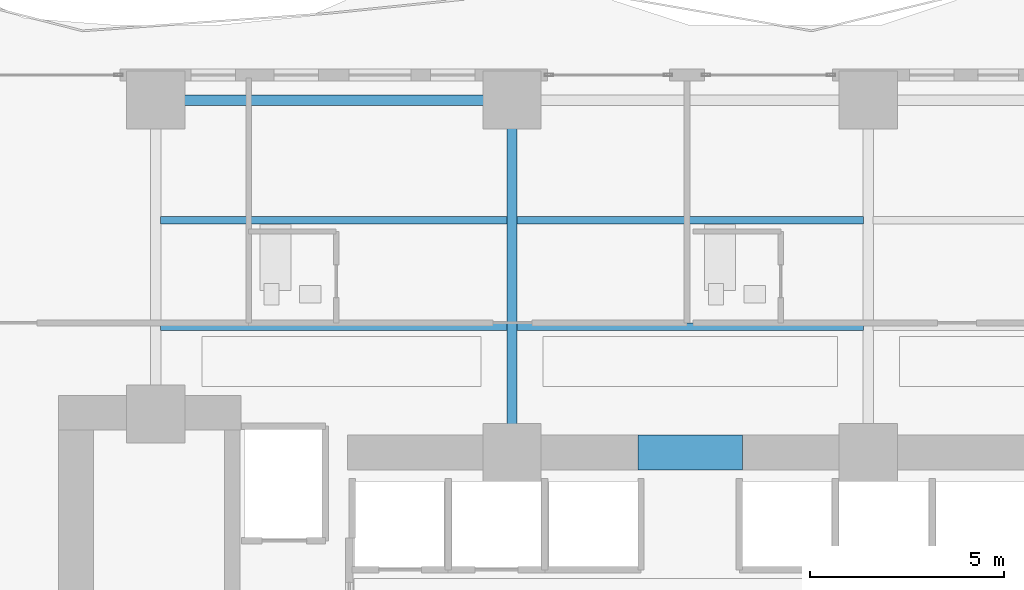
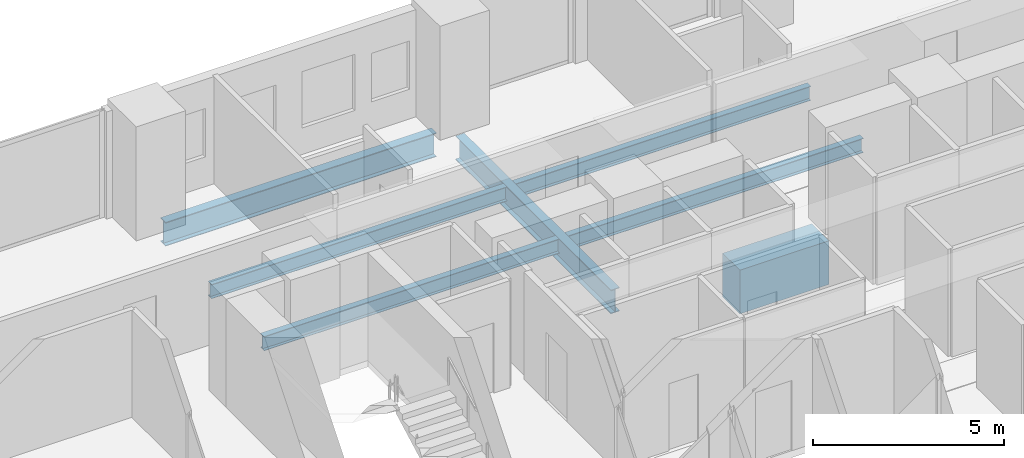
# One storey, part 14 of 28: 7 beams.
"""IFC4 building model written with IfcOpenShell, lengths in metres."""

from ifc_helpers import new_model, si_unit, direction, frame, origin, origin_2d, place, context, subcontext, project, spatial, rectangle, i_section, extrude, material, material_profile, profile_set, type_object, element, save


model = new_model("IFC4")

# Units and contexts
model_context = context("Model", 3, precision=1e-05, world=origin(), true_north=direction((0.0, 1.0)))
body_context = subcontext(model_context, "Body", "Model", "MODEL_VIEW")
ifc_project = project(units=[si_unit("LENGTHUNIT", "METRE"), si_unit("AREAUNIT", "SQUARE_METRE"), si_unit("VOLUMEUNIT", "CUBIC_METRE"), si_unit("PLANEANGLEUNIT", "RADIAN"), si_unit("MASSUNIT", "GRAM", prefix="KILO")], contexts=[model_context])

# Site, building, storey
site_placement = place(None, origin())
site = spatial("IfcSite", under=ifc_project, at=site_placement, CompositionType="ELEMENT")
building_placement = place(site_placement, origin())
building = spatial("IfcBuilding", under=site, at=building_placement, Name="Zuhayl Quay Hotel", CompositionType="ELEMENT")
storey_placement = place(building_placement, frame((0.0, 0.0, 78.699951171875)))
storey = spatial("IfcBuildingStorey", under=building, at=storey_placement, Name="L19", CompositionType="ELEMENT", Elevation=78.699951171875)

# Beams
ifc_material_1 = material(Name="Steel ASTM A992 Grade 50", Category="steel")
ifc_material_profile_1 = material_profile(ifc_material_1, i_section(OverallWidth=0.26708984375, OverallDepth=0.761962890625, WebThickness=0.014404296875, FlangeThickness=0.021484375, at=origin_2d()), Name="W30X116")
ifc_profile_set_1 = profile_set([ifc_material_profile_1], Name="Steel ASTM A992 Grade 50")
beam_type_1 = type_object("IfcBeamType", Name="BM_B1_W30X116", PredefinedType="BEAM", material=ifc_profile_set_1)
beam_1_placement = place(storey_placement, frame((-5.10009765625, 22.449951171875, -0.600830078125), z_axis=(-1.0, 0.0, 0.0), x_axis=(0.0, -1.0, 0.0)))
element("IfcBeam", 1, at=beam_1_placement, inside=storey, type_object=beam_type_1, Name="L19 Floor Beam RG_L19_09", PredefinedType="BEAM", context=body_context, shape_type="SweptSolid", body=[
    extrude(i_section(OverallWidth=0.26708984375, OverallDepth=0.761962890625, WebThickness=0.014404296875, FlangeThickness=0.021484375, at=origin_2d()), origin(), (0.0, 0.0, 1.0), 8.199951171875),
])
beam_2_placement = place(storey_placement, frame((-4.60009765625, 13.800048828125, -0.600830078125), z_axis=(0.0, 1.0, 0.0), x_axis=(-1.0, 0.0, 0.0)))
element("IfcBeam", 2, at=beam_2_placement, inside=storey, type_object=beam_type_1, Name="L19 Floor Beam FG_N_L19_2", PredefinedType="BEAM", context=body_context, shape_type="SweptSolid", body=[
    extrude(i_section(OverallWidth=0.26708984375, OverallDepth=0.761962890625, WebThickness=0.014404296875, FlangeThickness=0.021484375, at=origin_2d()), origin(), (0.0, 0.0, 1.0), 8.14990234375),
])
ifc_material_2 = material(Name="Concrete C60/75", Category="concrete")
ifc_material_profile_2 = material_profile(ifc_material_2, rectangle(XDim=0.89990234375, YDim=1.39990234375, at=origin_2d()), Name="RC900X1400")
ifc_profile_set_2 = profile_set([ifc_material_profile_2], Name="Concrete C60/75")
beam_type_2 = type_object("IfcBeamType", Name="BM_CB1_RC900", PredefinedType="T_BEAM", material=ifc_profile_set_2)
beam_3_placement = place(storey_placement, frame((-1.35009765625, 13.35009765625, -0.919921875), z_axis=(1.0, 0.0, 0.0), x_axis=(0.0, 1.0, 0.0)))
element("IfcBeam", 3, at=beam_3_placement, inside=storey, type_object=beam_type_2, Name="L19 Core Coupling Beam North", PredefinedType="T_BEAM", context=body_context, shape_type="SweptSolid", body=[
    extrude(rectangle(XDim=0.89990234375, YDim=1.39990234375, at=origin_2d()), origin(), (0.0, 0.0, 1.0), 2.7001953125),
])
ifc_material_profile_3 = material_profile(ifc_material_1, i_section(OverallWidth=0.18994140625, OverallDepth=0.45703125, WebThickness=0.009033203125, FlangeThickness=0.014404296875, at=origin_2d()), Name="W18X50")
ifc_profile_set_3 = profile_set([ifc_material_profile_3], Name="Steel ASTM A992 Grade 50")
beam_type_3 = type_object("IfcBeamType", Name="BM_J2_W18X50", PredefinedType="JOIST", material=ifc_profile_set_3)
beam_4_placement = place(storey_placement, frame((-13.674560546875, 16.60009765625, -0.448486328125), z_axis=(1.0, 0.0, 0.0), x_axis=(0.0, 1.0, 0.0)))
element("IfcBeam", 4, at=beam_4_placement, inside=storey, type_object=beam_type_3, Name="L19 Floor Beam FJ_L19_1_1", PredefinedType="JOIST", context=body_context, shape_type="SweptSolid", body=[
    extrude(i_section(OverallWidth=0.18994140625, OverallDepth=0.45703125, WebThickness=0.009033203125, FlangeThickness=0.014404296875, at=origin_2d()), origin(), (0.0, 0.0, 1.0), 8.948974609375),
])
beam_5_placement = place(storey_placement, frame((-4.474609375, 16.60009765625, -0.448486328125), z_axis=(1.0, 0.0, 0.0), x_axis=(0.0, 1.0, 0.0)))
element("IfcBeam", 5, at=beam_5_placement, inside=storey, type_object=beam_type_3, Name="L19 Floor Beam FJ_L19_1_2", PredefinedType="JOIST", context=body_context, shape_type="SweptSolid", body=[
    extrude(i_section(OverallWidth=0.18994140625, OverallDepth=0.45703125, WebThickness=0.009033203125, FlangeThickness=0.014404296875, at=origin_2d()), origin(), (0.0, 0.0, 1.0), 8.94921875),
])
beam_6_placement = place(storey_placement, frame((-13.674560546875, 19.35009765625, -0.448486328125), z_axis=(1.0, 0.0, 0.0), x_axis=(0.0, 1.0, 0.0)))
element("IfcBeam", 6, at=beam_6_placement, inside=storey, type_object=beam_type_3, Name="L19 Floor Beam FJ_L19_2_1", PredefinedType="JOIST", context=body_context, shape_type="SweptSolid", body=[
    extrude(i_section(OverallWidth=0.18994140625, OverallDepth=0.45703125, WebThickness=0.009033203125, FlangeThickness=0.014404296875, at=origin_2d()), origin(), (0.0, 0.0, 1.0), 8.948974609375),
])
beam_7_placement = place(storey_placement, frame((-4.474609375, 19.35009765625, -0.448486328125), z_axis=(1.0, 0.0, 0.0), x_axis=(0.0, 1.0, 0.0)))
element("IfcBeam", 7, at=beam_7_placement, inside=storey, type_object=beam_type_3, Name="L19 Floor Beam FJ_L19_2_2", PredefinedType="JOIST", context=body_context, shape_type="SweptSolid", body=[
    extrude(i_section(OverallWidth=0.18994140625, OverallDepth=0.45703125, WebThickness=0.009033203125, FlangeThickness=0.014404296875, at=origin_2d()), origin(), (0.0, 0.0, 1.0), 8.94921875),
])

save(model, "model.ifc")
